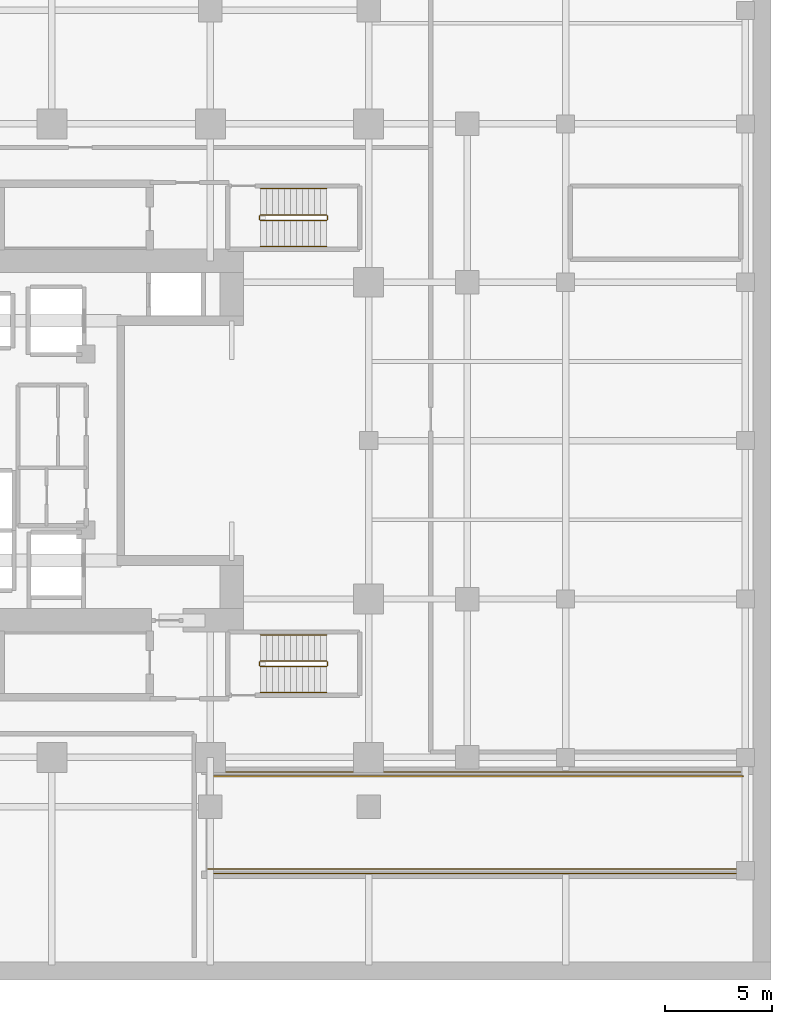
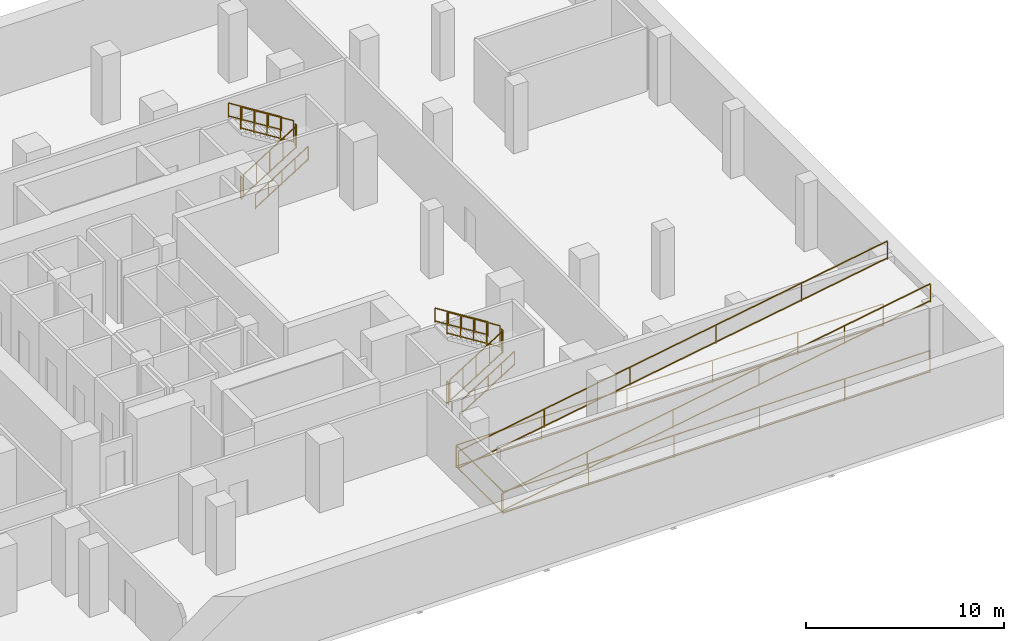
# One storey, part 7 of 7: 15 railings.
"""IFC4 building model written with IfcOpenShell, lengths in metres."""

from ifc_helpers import new_model, si_unit, direction, frame, origin, origin_2d, place, context, subcontext, project, spatial, rectangle, extrude, material, type_object, element, save


model = new_model("IFC4")

# Units and contexts
model_context = context("Model", 3, precision=1e-05, world=origin(), true_north=direction((0.0, 1.0)))
body_context = subcontext(model_context, "Body", "Model", "MODEL_VIEW")
ifc_project = project(units=[si_unit("LENGTHUNIT", "METRE"), si_unit("AREAUNIT", "SQUARE_METRE"), si_unit("VOLUMEUNIT", "CUBIC_METRE"), si_unit("PLANEANGLEUNIT", "RADIAN"), si_unit("MASSUNIT", "GRAM", prefix="KILO")], contexts=[model_context])

# Site, building, storey
site_placement = place(None, origin())
site = spatial("IfcSite", under=ifc_project, at=site_placement, CompositionType="ELEMENT")
building_placement = place(site_placement, origin())
building = spatial("IfcBuilding", under=site, at=building_placement, Name="Khorvyn Point Tower", CompositionType="ELEMENT")
storey_placement = place(building_placement, frame((0.0, 0.0, -4.199951171875)))
storey = spatial("IfcBuildingStorey", under=building, at=storey_placement, Name="B1", CompositionType="ELEMENT", Elevation=-4.199951171875)

# Railings
ifc_material = material(Name="Stainless steel 1.4301", Category="steel")
railing_type_1 = type_object("IfcRailingType", Name="Stainless Steel 304 Stair Pitch Handrail 900", PredefinedType="HANDRAIL", material=ifc_material)
railing_1_placement = place(storey_placement, frame((9.75, -11.77001953125, 0.175048828125)))
element("IfcRailing", 1, at=railing_1_placement, inside=storey, type_object=railing_type_1, Name="B1 ST-B1 stair handrail 1", PredefinedType="HANDRAIL", context=body_context, shape_type="SweptSolid", body=[
    extrude(rectangle(XDim=0.048095703125, YDim=0.048095703125, at=origin_2d()), frame((0.0, 0.0, 0.8759765625), z_axis=(0.848028513186, 0.0, 0.529950602248), x_axis=(0.0, 1.0, 0.0)), (0.0, 0.0, 1.0), 3.632080078125),
    extrude(rectangle(XDim=0.048095703125, YDim=0.048095703125, at=origin_2d()), frame((0.0, 0.0, 0.080078125), z_axis=(0.848028513186, 0.0, 0.529950602248), x_axis=(0.0, 1.0, 0.0)), (0.0, 0.0, 1.0), 3.632080078125),
    extrude(rectangle(XDim=0.0419921875, YDim=0.0419921875, at=origin_2d()), origin(), (0.0, 0.0, 1.0), 0.851806640625),
    extrude(rectangle(XDim=0.0419921875, YDim=0.0419921875, at=origin_2d()), frame((0.77001953125, 0.0, 0.481201171875)), (0.0, 0.0, 1.0), 0.851806640625),
    extrude(rectangle(XDim=0.0419921875, YDim=0.0419921875, at=origin_2d()), frame((1.5400390625, 0.0, 0.96240234375)), (0.0, 0.0, 1.0), 0.851806640625),
    extrude(rectangle(XDim=0.0419921875, YDim=0.0419921875, at=origin_2d()), frame((2.31005859375, 0.0, 1.443603515625)), (0.0, 0.0, 1.0), 0.851806640625),
    extrude(rectangle(XDim=0.0419921875, YDim=0.0419921875, at=origin_2d()), frame((3.080078125, 0.0, 1.9248046875)), (0.0, 0.0, 1.0), 0.851806640625),
])
railing_2_placement = place(storey_placement, frame((12.830078125, -9.070068359375, 2.27490234375)))
element("IfcRailing", 2, at=railing_2_placement, inside=storey, type_object=railing_type_1, Name="B1 ST-B1 stair handrail 2", PredefinedType="HANDRAIL", context=body_context, shape_type="SweptSolid", body=[
    extrude(rectangle(XDim=0.048095703125, YDim=0.048095703125, at=origin_2d()), frame((0.0, 0.0, 0.8759765625), z_axis=(-0.847998304005, 0.0, 0.529998940003), x_axis=(0.0, -1.0, 0.0)), (0.0, 0.0, 1.0), 3.632080078125),
    extrude(rectangle(XDim=0.048095703125, YDim=0.048095703125, at=origin_2d()), frame((0.0, 0.0, 0.080078125), z_axis=(-0.847998304005, 0.0, 0.529998940003), x_axis=(0.0, -1.0, 0.0)), (0.0, 0.0, 1.0), 3.632080078125),
    extrude(rectangle(XDim=0.0419921875, YDim=0.0419921875, at=origin_2d()), origin(), (0.0, 0.0, 1.0), 0.851806640625),
    extrude(rectangle(XDim=0.0419921875, YDim=0.0419921875, at=origin_2d()), frame((-0.77001953125, 0.0, 0.481201171875)), (0.0, 0.0, 1.0), 0.851806640625),
    extrude(rectangle(XDim=0.0419921875, YDim=0.0419921875, at=origin_2d()), frame((-1.5400390625, 0.0, 0.96240234375)), (0.0, 0.0, 1.0), 0.851806640625),
    extrude(rectangle(XDim=0.0419921875, YDim=0.0419921875, at=origin_2d()), frame((-2.31005859375, 0.0, 1.44384765625)), (0.0, 0.0, 1.0), 0.851806640625),
    extrude(rectangle(XDim=0.0419921875, YDim=0.0419921875, at=origin_2d()), frame((-3.080078125, 0.0, 1.925048828125)), (0.0, 0.0, 1.0), 0.851806640625),
])
railing_3_placement = place(storey_placement, frame((9.75, 9.070068359375, 0.175048828125)))
element("IfcRailing", 3, at=railing_3_placement, inside=storey, type_object=railing_type_1, Name="B1 ST-B2 stair handrail 1", PredefinedType="HANDRAIL", context=body_context, shape_type="SweptSolid", body=[
    extrude(rectangle(XDim=0.048095703125, YDim=0.048095703125, at=origin_2d()), frame((0.0, 0.0, 0.8759765625), z_axis=(0.848028513186, 0.0, 0.529950602248), x_axis=(0.0, 1.0, 0.0)), (0.0, 0.0, 1.0), 3.632080078125),
    extrude(rectangle(XDim=0.048095703125, YDim=0.048095703125, at=origin_2d()), frame((0.0, 0.0, 0.080078125), z_axis=(0.848028513186, 0.0, 0.529950602248), x_axis=(0.0, 1.0, 0.0)), (0.0, 0.0, 1.0), 3.632080078125),
    extrude(rectangle(XDim=0.0419921875, YDim=0.0419921875, at=origin_2d()), origin(), (0.0, 0.0, 1.0), 0.851806640625),
    extrude(rectangle(XDim=0.0419921875, YDim=0.0419921875, at=origin_2d()), frame((0.77001953125, 0.0, 0.481201171875)), (0.0, 0.0, 1.0), 0.851806640625),
    extrude(rectangle(XDim=0.0419921875, YDim=0.0419921875, at=origin_2d()), frame((1.5400390625, 0.0, 0.96240234375)), (0.0, 0.0, 1.0), 0.851806640625),
    extrude(rectangle(XDim=0.0419921875, YDim=0.0419921875, at=origin_2d()), frame((2.31005859375, 0.0, 1.443603515625)), (0.0, 0.0, 1.0), 0.851806640625),
    extrude(rectangle(XDim=0.0419921875, YDim=0.0419921875, at=origin_2d()), frame((3.080078125, 0.0, 1.9248046875)), (0.0, 0.0, 1.0), 0.851806640625),
])
railing_4_placement = place(storey_placement, frame((12.830078125, 11.77001953125, 2.27490234375)))
element("IfcRailing", 4, at=railing_4_placement, inside=storey, type_object=railing_type_1, Name="B1 ST-B2 stair handrail 2", PredefinedType="HANDRAIL", context=body_context, shape_type="SweptSolid", body=[
    extrude(rectangle(XDim=0.048095703125, YDim=0.048095703125, at=origin_2d()), frame((0.0, 0.0, 0.8759765625), z_axis=(-0.847998304005, 0.0, 0.529998940003), x_axis=(0.0, -1.0, 0.0)), (0.0, 0.0, 1.0), 3.632080078125),
    extrude(rectangle(XDim=0.048095703125, YDim=0.048095703125, at=origin_2d()), frame((0.0, 0.0, 0.080078125), z_axis=(-0.847998304005, 0.0, 0.529998940003), x_axis=(0.0, -1.0, 0.0)), (0.0, 0.0, 1.0), 3.632080078125),
    extrude(rectangle(XDim=0.0419921875, YDim=0.0419921875, at=origin_2d()), origin(), (0.0, 0.0, 1.0), 0.851806640625),
    extrude(rectangle(XDim=0.0419921875, YDim=0.0419921875, at=origin_2d()), frame((-0.77001953125, 0.0, 0.481201171875)), (0.0, 0.0, 1.0), 0.851806640625),
    extrude(rectangle(XDim=0.0419921875, YDim=0.0419921875, at=origin_2d()), frame((-1.5400390625, 0.0, 0.96240234375)), (0.0, 0.0, 1.0), 0.851806640625),
    extrude(rectangle(XDim=0.0419921875, YDim=0.0419921875, at=origin_2d()), frame((-2.31005859375, 0.0, 1.44384765625)), (0.0, 0.0, 1.0), 0.851806640625),
    extrude(rectangle(XDim=0.0419921875, YDim=0.0419921875, at=origin_2d()), frame((-3.080078125, 0.0, 1.925048828125)), (0.0, 0.0, 1.0), 0.851806640625),
])
railing_type_2 = type_object("IfcRailingType", Name="Stainless Steel 304 Stair Well Guardrail 1400", PredefinedType="GUARDRAIL", material=ifc_material)
railing_5_placement = place(storey_placement, frame((9.75, -10.550048828125, 0.175048828125)))
element("IfcRailing", 5, at=railing_5_placement, inside=storey, type_object=railing_type_2, Name="B1 ST-B1 stair guard 1", PredefinedType="GUARDRAIL", context=body_context, shape_type="SweptSolid", body=[
    extrude(rectangle(XDim=0.048095703125, YDim=0.048095703125, at=origin_2d()), frame((0.0, 0.0, 1.3759765625), z_axis=(0.848028513186, 0.0, 0.529950602248), x_axis=(0.0, 1.0, 0.0)), (0.0, 0.0, 1.0), 3.632080078125),
    extrude(rectangle(XDim=0.048095703125, YDim=0.048095703125, at=origin_2d()), frame((0.0, 0.0, 0.080078125), z_axis=(0.848028513186, 0.0, 0.529950602248), x_axis=(0.0, 1.0, 0.0)), (0.0, 0.0, 1.0), 3.632080078125),
    extrude(rectangle(XDim=0.0419921875, YDim=0.0419921875, at=origin_2d()), origin(), (0.0, 0.0, 1.0), 1.351806640625),
    extrude(rectangle(XDim=0.0419921875, YDim=0.0419921875, at=origin_2d()), frame((0.77001953125, 0.0, 0.481201171875)), (0.0, 0.0, 1.0), 1.351806640625),
    extrude(rectangle(XDim=0.0419921875, YDim=0.0419921875, at=origin_2d()), frame((1.5400390625, 0.0, 0.96240234375)), (0.0, 0.0, 1.0), 1.351806640625),
    extrude(rectangle(XDim=0.0419921875, YDim=0.0419921875, at=origin_2d()), frame((2.31005859375, 0.0, 1.443603515625)), (0.0, 0.0, 1.0), 1.351806640625),
    extrude(rectangle(XDim=0.0419921875, YDim=0.0419921875, at=origin_2d()), frame((3.080078125, 0.0, 1.9248046875)), (0.0, 0.0, 1.0), 1.351806640625),
])
railing_6_placement = place(storey_placement, frame((12.8798828125, -10.5, 2.099853515625)))
element("IfcRailing", 6, at=railing_6_placement, inside=storey, type_object=railing_type_2, Name="B1 ST-B1 stair guard 2", PredefinedType="GUARDRAIL", context=body_context, shape_type="SweptSolid", body=[
    extrude(rectangle(XDim=0.048095703125, YDim=0.048095703125, at=origin_2d()), frame((0.0, 0.0, 1.3759765625), z_axis=(0.0, 1.0, 0.0), x_axis=(-1.0, 0.0, 0.0)), (0.0, 0.0, 1.0), 0.159912109375),
    extrude(rectangle(XDim=0.048095703125, YDim=0.048095703125, at=origin_2d()), frame((0.0, 0.0, 0.080078125), z_axis=(0.0, 1.0, 0.0), x_axis=(-1.0, 0.0, 0.0)), (0.0, 0.0, 1.0), 0.159912109375),
    extrude(rectangle(XDim=0.0419921875, YDim=0.0419921875, at=origin_2d()), origin(), (0.0, 0.0, 1.0), 1.351806640625),
    extrude(rectangle(XDim=0.0419921875, YDim=0.0419921875, at=origin_2d()), frame((0.0, 0.159912109375, 0.0)), (0.0, 0.0, 1.0), 1.351806640625),
])
railing_7_placement = place(storey_placement, frame((12.830078125, -10.2900390625, 2.27490234375)))
element("IfcRailing", 7, at=railing_7_placement, inside=storey, type_object=railing_type_2, Name="B1 ST-B1 stair guard 3", PredefinedType="GUARDRAIL", context=body_context, shape_type="SweptSolid", body=[
    extrude(rectangle(XDim=0.048095703125, YDim=0.048095703125, at=origin_2d()), frame((0.0, 0.0, 1.3759765625), z_axis=(-0.847998304005, 0.0, 0.529998940003), x_axis=(0.0, -1.0, 0.0)), (0.0, 0.0, 1.0), 3.632080078125),
    extrude(rectangle(XDim=0.048095703125, YDim=0.048095703125, at=origin_2d()), frame((0.0, 0.0, 0.080078125), z_axis=(-0.847998304005, 0.0, 0.529998940003), x_axis=(0.0, -1.0, 0.0)), (0.0, 0.0, 1.0), 3.632080078125),
    extrude(rectangle(XDim=0.0419921875, YDim=0.0419921875, at=origin_2d()), origin(), (0.0, 0.0, 1.0), 1.351806640625),
    extrude(rectangle(XDim=0.0419921875, YDim=0.0419921875, at=origin_2d()), frame((-0.77001953125, 0.0, 0.481201171875)), (0.0, 0.0, 1.0), 1.351806640625),
    extrude(rectangle(XDim=0.0419921875, YDim=0.0419921875, at=origin_2d()), frame((-1.5400390625, 0.0, 0.96240234375)), (0.0, 0.0, 1.0), 1.351806640625),
    extrude(rectangle(XDim=0.0419921875, YDim=0.0419921875, at=origin_2d()), frame((-2.31005859375, 0.0, 1.44384765625)), (0.0, 0.0, 1.0), 1.351806640625),
    extrude(rectangle(XDim=0.0419921875, YDim=0.0419921875, at=origin_2d()), frame((-3.080078125, 0.0, 1.925048828125)), (0.0, 0.0, 1.0), 1.351806640625),
])
railing_8_placement = place(storey_placement, frame((9.699951171875, -10.5, 0.0)))
element("IfcRailing", 8, at=railing_8_placement, inside=storey, type_object=railing_type_2, Name="B1 ST-B1 stair guard 4", PredefinedType="GUARDRAIL", context=body_context, shape_type="SweptSolid", body=[
    extrude(rectangle(XDim=0.048095703125, YDim=0.048095703125, at=origin_2d()), frame((0.0, 0.0, 1.3759765625), z_axis=(0.0, 1.0, 0.0), x_axis=(-1.0, 0.0, 0.0)), (0.0, 0.0, 1.0), 0.159912109375),
    extrude(rectangle(XDim=0.048095703125, YDim=0.048095703125, at=origin_2d()), frame((0.0, 0.0, 0.080078125), z_axis=(0.0, 1.0, 0.0), x_axis=(-1.0, 0.0, 0.0)), (0.0, 0.0, 1.0), 0.159912109375),
    extrude(rectangle(XDim=0.0419921875, YDim=0.0419921875, at=origin_2d()), origin(), (0.0, 0.0, 1.0), 1.351806640625),
    extrude(rectangle(XDim=0.0419921875, YDim=0.0419921875, at=origin_2d()), frame((0.0, 0.159912109375, 0.0)), (0.0, 0.0, 1.0), 1.351806640625),
])
railing_9_placement = place(storey_placement, frame((9.75, 10.2900390625, 0.175048828125)))
element("IfcRailing", 9, at=railing_9_placement, inside=storey, type_object=railing_type_2, Name="B1 ST-B2 stair guard 1", PredefinedType="GUARDRAIL", context=body_context, shape_type="SweptSolid", body=[
    extrude(rectangle(XDim=0.048095703125, YDim=0.048095703125, at=origin_2d()), frame((0.0, 0.0, 1.3759765625), z_axis=(0.848028513186, 0.0, 0.529950602248), x_axis=(0.0, 1.0, 0.0)), (0.0, 0.0, 1.0), 3.632080078125),
    extrude(rectangle(XDim=0.048095703125, YDim=0.048095703125, at=origin_2d()), frame((0.0, 0.0, 0.080078125), z_axis=(0.848028513186, 0.0, 0.529950602248), x_axis=(0.0, 1.0, 0.0)), (0.0, 0.0, 1.0), 3.632080078125),
    extrude(rectangle(XDim=0.0419921875, YDim=0.0419921875, at=origin_2d()), origin(), (0.0, 0.0, 1.0), 1.351806640625),
    extrude(rectangle(XDim=0.0419921875, YDim=0.0419921875, at=origin_2d()), frame((0.77001953125, 0.0, 0.481201171875)), (0.0, 0.0, 1.0), 1.351806640625),
    extrude(rectangle(XDim=0.0419921875, YDim=0.0419921875, at=origin_2d()), frame((1.5400390625, 0.0, 0.96240234375)), (0.0, 0.0, 1.0), 1.351806640625),
    extrude(rectangle(XDim=0.0419921875, YDim=0.0419921875, at=origin_2d()), frame((2.31005859375, 0.0, 1.443603515625)), (0.0, 0.0, 1.0), 1.351806640625),
    extrude(rectangle(XDim=0.0419921875, YDim=0.0419921875, at=origin_2d()), frame((3.080078125, 0.0, 1.9248046875)), (0.0, 0.0, 1.0), 1.351806640625),
])
railing_10_placement = place(storey_placement, frame((12.8798828125, 10.340087890625, 2.099853515625)))
element("IfcRailing", 10, at=railing_10_placement, inside=storey, type_object=railing_type_2, Name="B1 ST-B2 stair guard 2", PredefinedType="GUARDRAIL", context=body_context, shape_type="SweptSolid", body=[
    extrude(rectangle(XDim=0.048095703125, YDim=0.048095703125, at=origin_2d()), frame((0.0, 0.0, 1.3759765625), z_axis=(0.0, 1.0, 0.0), x_axis=(-1.0, 0.0, 0.0)), (0.0, 0.0, 1.0), 0.159912109375),
    extrude(rectangle(XDim=0.048095703125, YDim=0.048095703125, at=origin_2d()), frame((0.0, 0.0, 0.080078125), z_axis=(0.0, 1.0, 0.0), x_axis=(-1.0, 0.0, 0.0)), (0.0, 0.0, 1.0), 0.159912109375),
    extrude(rectangle(XDim=0.0419921875, YDim=0.0419921875, at=origin_2d()), origin(), (0.0, 0.0, 1.0), 1.351806640625),
    extrude(rectangle(XDim=0.0419921875, YDim=0.0419921875, at=origin_2d()), frame((0.0, 0.159912109375, 0.0)), (0.0, 0.0, 1.0), 1.351806640625),
])
railing_11_placement = place(storey_placement, frame((12.830078125, 10.550048828125, 2.27490234375)))
element("IfcRailing", 11, at=railing_11_placement, inside=storey, type_object=railing_type_2, Name="B1 ST-B2 stair guard 3", PredefinedType="GUARDRAIL", context=body_context, shape_type="SweptSolid", body=[
    extrude(rectangle(XDim=0.048095703125, YDim=0.048095703125, at=origin_2d()), frame((0.0, 0.0, 1.3759765625), z_axis=(-0.847998304005, 0.0, 0.529998940003), x_axis=(0.0, -1.0, 0.0)), (0.0, 0.0, 1.0), 3.632080078125),
    extrude(rectangle(XDim=0.048095703125, YDim=0.048095703125, at=origin_2d()), frame((0.0, 0.0, 0.080078125), z_axis=(-0.847998304005, 0.0, 0.529998940003), x_axis=(0.0, -1.0, 0.0)), (0.0, 0.0, 1.0), 3.632080078125),
    extrude(rectangle(XDim=0.0419921875, YDim=0.0419921875, at=origin_2d()), origin(), (0.0, 0.0, 1.0), 1.351806640625),
    extrude(rectangle(XDim=0.0419921875, YDim=0.0419921875, at=origin_2d()), frame((-0.77001953125, 0.0, 0.481201171875)), (0.0, 0.0, 1.0), 1.351806640625),
    extrude(rectangle(XDim=0.0419921875, YDim=0.0419921875, at=origin_2d()), frame((-1.5400390625, 0.0, 0.96240234375)), (0.0, 0.0, 1.0), 1.351806640625),
    extrude(rectangle(XDim=0.0419921875, YDim=0.0419921875, at=origin_2d()), frame((-2.31005859375, 0.0, 1.44384765625)), (0.0, 0.0, 1.0), 1.351806640625),
    extrude(rectangle(XDim=0.0419921875, YDim=0.0419921875, at=origin_2d()), frame((-3.080078125, 0.0, 1.925048828125)), (0.0, 0.0, 1.0), 1.351806640625),
])
railing_12_placement = place(storey_placement, frame((9.699951171875, 10.340087890625, 0.0)))
element("IfcRailing", 12, at=railing_12_placement, inside=storey, type_object=railing_type_2, Name="B1 ST-B2 stair guard 4", PredefinedType="GUARDRAIL", context=body_context, shape_type="SweptSolid", body=[
    extrude(rectangle(XDim=0.048095703125, YDim=0.048095703125, at=origin_2d()), frame((0.0, 0.0, 1.3759765625), z_axis=(0.0, 1.0, 0.0), x_axis=(-1.0, 0.0, 0.0)), (0.0, 0.0, 1.0), 0.159912109375),
    extrude(rectangle(XDim=0.048095703125, YDim=0.048095703125, at=origin_2d()), frame((0.0, 0.0, 0.080078125), z_axis=(0.0, 1.0, 0.0), x_axis=(-1.0, 0.0, 0.0)), (0.0, 0.0, 1.0), 0.159912109375),
    extrude(rectangle(XDim=0.0419921875, YDim=0.0419921875, at=origin_2d()), origin(), (0.0, 0.0, 1.0), 1.351806640625),
    extrude(rectangle(XDim=0.0419921875, YDim=0.0419921875, at=origin_2d()), frame((0.0, 0.159912109375, 0.0)), (0.0, 0.0, 1.0), 1.351806640625),
])
railing_13_placement = place(storey_placement, frame((32.169921875, -20.219970703125, 0.0)))
element("IfcRailing", 13, at=railing_13_placement, inside=storey, type_object=railing_type_2, Name="B1 Vehicle Ramp Well Guardrail", PredefinedType="GUARDRAIL", context=body_context, shape_type="SweptSolid", body=[
    extrude(rectangle(XDim=0.048095703125, YDim=0.048095703125, at=origin_2d()), frame((0.0, 0.0, 1.3759765625), z_axis=(-1.0, 0.0, 0.0), x_axis=(0.0, -1.0, 0.0)), (0.0, 0.0, 1.0), 24.889892578125),
    extrude(rectangle(XDim=0.048095703125, YDim=0.048095703125, at=origin_2d()), frame((0.0, 0.0, 0.080078125), z_axis=(-1.0, 0.0, 0.0), x_axis=(0.0, -1.0, 0.0)), (0.0, 0.0, 1.0), 24.889892578125),
    extrude(rectangle(XDim=0.048095703125, YDim=0.048095703125, at=origin_2d()), frame((-24.889892578125, 0.0, 1.3759765625), z_axis=(0.0, 1.0, 0.0), x_axis=(-1.0, 0.0, 0.0)), (0.0, 0.0, 1.0), 4.739990234375),
    extrude(rectangle(XDim=0.048095703125, YDim=0.048095703125, at=origin_2d()), frame((-24.889892578125, 0.0, 0.080078125), z_axis=(0.0, 1.0, 0.0), x_axis=(-1.0, 0.0, 0.0)), (0.0, 0.0, 1.0), 4.739990234375),
    extrude(rectangle(XDim=0.048095703125, YDim=0.048095703125, at=origin_2d()), frame((-24.889892578125, 4.739990234375, 1.3759765625), z_axis=(1.0, 0.0, 0.0), x_axis=(0.0, 1.0, 0.0)), (0.0, 0.0, 1.0), 24.889892578125),
    extrude(rectangle(XDim=0.048095703125, YDim=0.048095703125, at=origin_2d()), frame((-24.889892578125, 4.739990234375, 0.080078125), z_axis=(1.0, 0.0, 0.0), x_axis=(0.0, 1.0, 0.0)), (0.0, 0.0, 1.0), 24.889892578125),
    extrude(rectangle(XDim=0.0419921875, YDim=0.0419921875, at=origin_2d()), origin(), (0.0, 0.0, 1.0), 1.351806640625),
    extrude(rectangle(XDim=0.0419921875, YDim=0.0419921875, at=origin_2d()), frame((-4.97802734375, 0.0, 0.0)), (0.0, 0.0, 1.0), 1.351806640625),
    extrude(rectangle(XDim=0.0419921875, YDim=0.0419921875, at=origin_2d()), frame((-9.9560546875, 0.0, 0.0)), (0.0, 0.0, 1.0), 1.351806640625),
    extrude(rectangle(XDim=0.0419921875, YDim=0.0419921875, at=origin_2d()), frame((-14.933837890625, 0.0, 0.0)), (0.0, 0.0, 1.0), 1.351806640625),
    extrude(rectangle(XDim=0.0419921875, YDim=0.0419921875, at=origin_2d()), frame((-19.911865234375, 0.0, 0.0)), (0.0, 0.0, 1.0), 1.351806640625),
    extrude(rectangle(XDim=0.0419921875, YDim=0.0419921875, at=origin_2d()), frame((-24.889892578125, 0.0, 0.0)), (0.0, 0.0, 1.0), 1.351806640625),
    extrude(rectangle(XDim=0.0419921875, YDim=0.0419921875, at=origin_2d()), frame((-24.889892578125, 4.739990234375, 0.0)), (0.0, 0.0, 1.0), 1.351806640625),
    extrude(rectangle(XDim=0.0419921875, YDim=0.0419921875, at=origin_2d()), frame((-19.911865234375, 4.739990234375, 0.0)), (0.0, 0.0, 1.0), 1.351806640625),
    extrude(rectangle(XDim=0.0419921875, YDim=0.0419921875, at=origin_2d()), frame((-14.933837890625, 4.739990234375, 0.0)), (0.0, 0.0, 1.0), 1.351806640625),
    extrude(rectangle(XDim=0.0419921875, YDim=0.0419921875, at=origin_2d()), frame((-9.9560546875, 4.739990234375, 0.0)), (0.0, 0.0, 1.0), 1.351806640625),
    extrude(rectangle(XDim=0.0419921875, YDim=0.0419921875, at=origin_2d()), frame((-4.97802734375, 4.739990234375, 0.0)), (0.0, 0.0, 1.0), 1.351806640625),
    extrude(rectangle(XDim=0.0419921875, YDim=0.0419921875, at=origin_2d()), frame((0.0, 4.739990234375, 0.0)), (0.0, 0.0, 1.0), 1.351806640625),
])
for number, where, name in (
    (14, (7.300048828125, -20.02001953125, 0.0), "B1 VR-03 Ramp Guard S"),
    (15, (7.300048828125, -15.679931640625, 0.0), "B1 VR-03 Ramp Guard N"),
):
    element("IfcRailing", number, at=place(storey_placement, frame(where)), inside=storey, type_object=railing_type_2, Name=name, PredefinedType="GUARDRAIL", context=body_context, shape_type="SweptSolid", body=[
        extrude(rectangle(XDim=0.048095703125, YDim=0.048095703125, at=origin_2d()), frame((0.0, 0.0, 1.1259765625), z_axis=(0.986180180778, 0.0, 0.165676344238), x_axis=(0.0, 1.0, 0.0)), (0.0, 0.0, 1.0), 25.350341796875),
        extrude(rectangle(XDim=0.048095703125, YDim=0.048095703125, at=origin_2d()), frame((0.0, 0.0, 0.080078125), z_axis=(0.986180180778, 0.0, 0.165676344238), x_axis=(0.0, 1.0, 0.0)), (0.0, 0.0, 1.0), 25.350341796875),
        extrude(rectangle(XDim=0.0419921875, YDim=0.0419921875, at=origin_2d()), origin(), (0.0, 0.0, 1.0), 1.101806640625),
        extrude(rectangle(XDim=0.0419921875, YDim=0.0419921875, at=origin_2d()), frame((5.0, 0.0, 0.840087890625)), (0.0, 0.0, 1.0), 1.101806640625),
        extrude(rectangle(XDim=0.0419921875, YDim=0.0419921875, at=origin_2d()), frame((10.0, 0.0, 1.679931640625)), (0.0, 0.0, 1.0), 1.101806640625),
        extrude(rectangle(XDim=0.0419921875, YDim=0.0419921875, at=origin_2d()), frame((15.0, 0.0, 2.52001953125)), (0.0, 0.0, 1.0), 1.101806640625),
        extrude(rectangle(XDim=0.0419921875, YDim=0.0419921875, at=origin_2d()), frame((20.0, 0.0, 3.35986328125)), (0.0, 0.0, 1.0), 1.101806640625),
        extrude(rectangle(XDim=0.0419921875, YDim=0.0419921875, at=origin_2d()), frame((25.0, 0.0, 4.199951171875)), (0.0, 0.0, 1.0), 1.101806640625),
    ])

save(model, "model.ifc")
